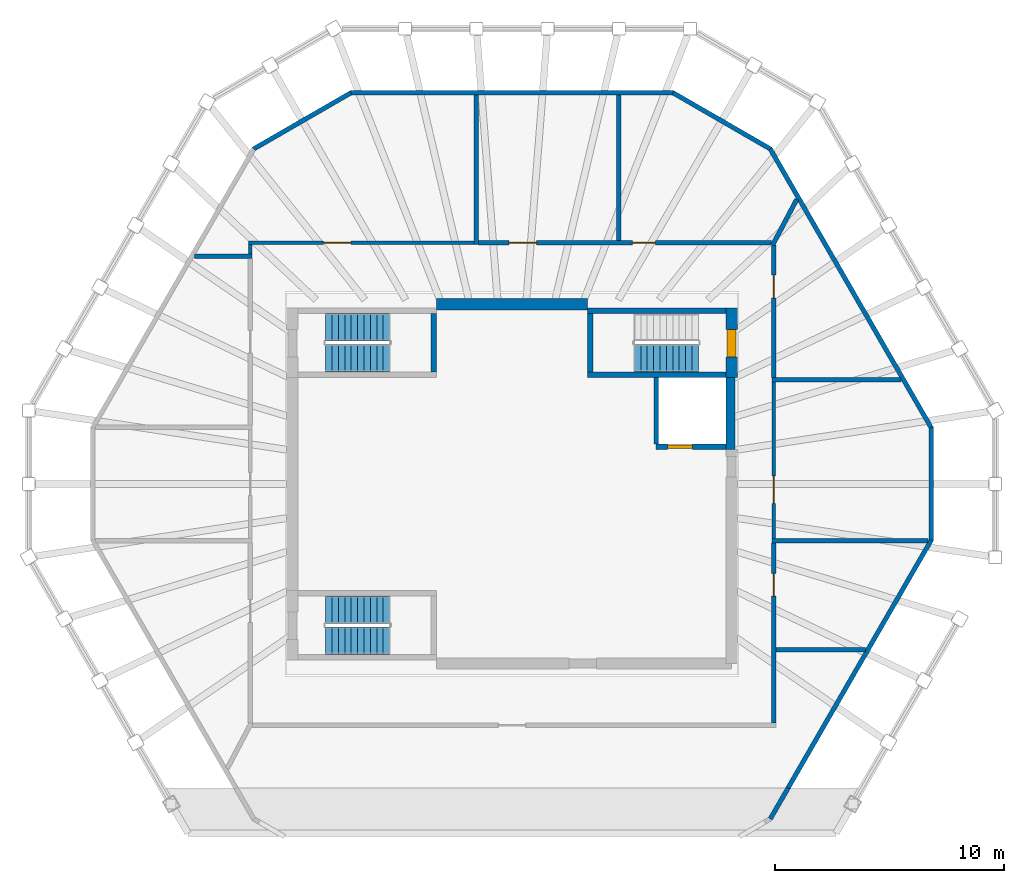
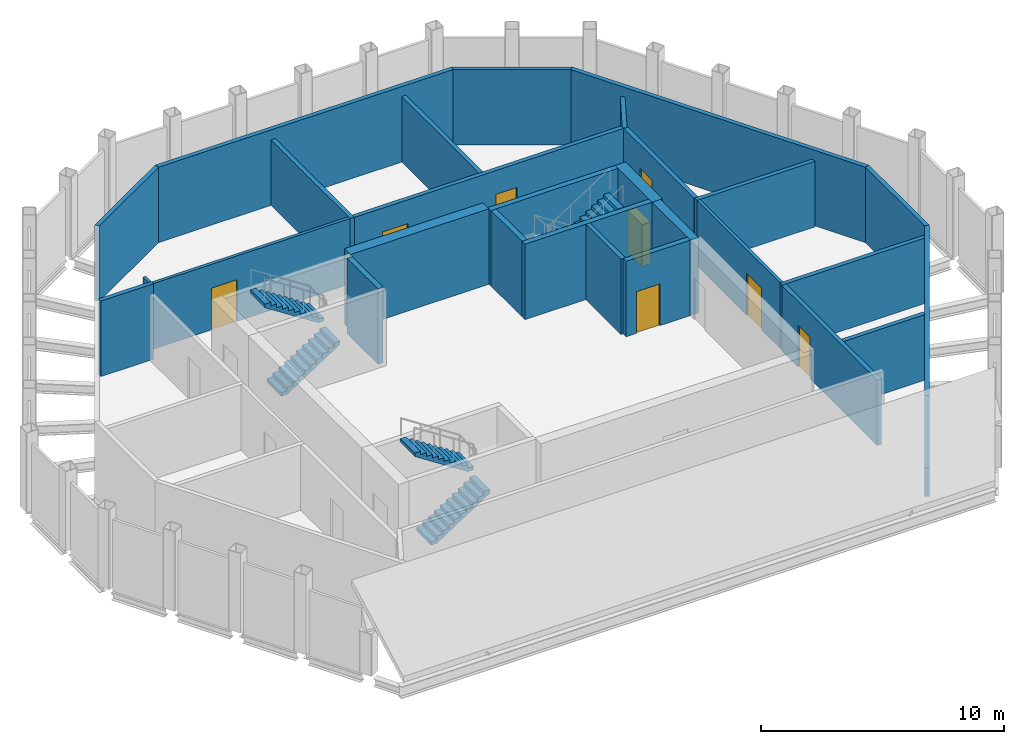
# One storey, part 3 of 5: 29 walls, 8 doors, 5 stair flights, 8 openings, 3 elements without a shape of their own.
"""IFC4 building model written with IfcOpenShell, lengths in metres."""

from ifc_helpers import new_model, si_unit, direction, frame, frame_2d, origin, place, context, subcontext, project, spatial, polyline, rectangle, outline, extrude, material, layer, layer_set, type_object, element, fill, aggregate, save


model = new_model("IFC4")

# Units and contexts
model_context = context("Model", 3, precision=1e-05, world=origin(), true_north=direction((0.0, 1.0)))
body_context = subcontext(model_context, "Body", "Model", "MODEL_VIEW")
ifc_project = project(units=[si_unit("LENGTHUNIT", "METRE"), si_unit("AREAUNIT", "SQUARE_METRE"), si_unit("VOLUMEUNIT", "CUBIC_METRE"), si_unit("PLANEANGLEUNIT", "RADIAN"), si_unit("MASSUNIT", "GRAM", prefix="KILO")], contexts=[model_context])

# Site, building, storey
site_placement = place(None, origin())
site = spatial("IfcSite", under=ifc_project, at=site_placement, CompositionType="ELEMENT")
building_placement = place(site_placement, origin())
building = spatial("IfcBuilding", under=site, at=building_placement, Name="Frailejon Research Tower", CompositionType="ELEMENT")
storey_placement = place(building_placement, frame((0.0, 0.0, 348.60009765625)))
storey = spatial("IfcBuildingStorey", under=building, at=storey_placement, Name="L78", CompositionType="ELEMENT", Elevation=348.60009765625)

# Walls
ifc_material_1 = material(Name="Concrete C50/60", Category="concrete")
ifc_layer_1 = layer(ifc_material_1, 0.39990234375)
ifc_layer_set_1 = layer_set([ifc_layer_1], Name="Core shear wall 400 C50/60")
wall_type_1 = type_object("IfcWallType", Name="Core shear wall 400 C50/60", PredefinedType="SHEAR", material=ifc_layer_set_1)
wall_1_placement = place(storey_placement, frame((9.550048828125, 1.5, 0.0), z_axis=(0.0, 0.0, 1.0), x_axis=(0.0, 1.0, 0.0)))
element("IfcWall", 1, at=wall_1_placement, inside=storey, type_object=wall_type_1, Name="Core shear wall", PredefinedType="SHEAR", context=body_context, shape_type="SweptSolid", body=[
    extrude(rectangle(XDim=3.14990234375, YDim=0.39990234375, at=frame_2d((1.574951171875, 0.0))), origin(), (0.0, 0.0, 1.0), 3.7998046875),
])
ifc_material_2 = material(Name="Concrete C50/60", Category="concrete")
ifc_layer_2 = layer(ifc_material_2, 0.5)
ifc_layer_set_2 = layer_set([ifc_layer_2], Name="Core shear wall 500 C50/60")
wall_type_2 = type_object("IfcWallType", Name="Core shear wall 500 C50/60", PredefinedType="SHEAR", material=ifc_layer_set_2)
wall_2_placement = place(storey_placement, frame((3.300048828125, 7.85009765625, 0.0), z_axis=(0.0, 0.0, 1.0), x_axis=(-1.0, 0.0, 0.0)))
element("IfcWall", 2, at=wall_2_placement, inside=storey, type_object=wall_type_2, Name="Core shear wall", PredefinedType="SHEAR", context=body_context, shape_type="SweptSolid", body=[
    extrude(rectangle(XDim=6.60009765625, YDim=0.5, at=frame_2d((3.300048828125, 0.0))), origin(), (0.0, 0.0, 1.0), 3.7998046875),
])

# Wall, opening, door
wall_3_placement = place(storey_placement, frame((9.60009765625, 4.64990234375, 0.0), z_axis=(0.0, 0.0, 1.0), x_axis=(0.0, 1.0, 0.0)))
wall_3 = element("IfcWall", 3, at=wall_3_placement, inside=storey, type_object=wall_type_2, Name="Core shear wall", PredefinedType="SHEAR", context=body_context, shape_type="SweptSolid", body=[
    extrude(rectangle(XDim=3.050048828125, YDim=0.5, at=frame_2d((1.52490234375, 0.0))), origin(), (0.0, 0.0, 1.0), 3.7998046875),
])
opening_1_placement = place(wall_3_placement, frame((0.89990234375, 0.0, 0.0)))
opening_1 = element("IfcOpeningElement", 4, at=opening_1_placement, cuts=wall_3, Name="Opening D7", PredefinedType="OPENING", context=body_context, shape_type="SweptSolid", body=[
    extrude(rectangle(XDim=1.199951171875, YDim=2.10009765625, at=frame_2d((0.60009765625, 1.050048828125))), frame((0.0, 0.260009765625, 0.0), z_axis=(0.0, -1.0, 0.0), x_axis=(1.0, 0.0, 0.0)), (0.0, 0.0, 1.0), 0.52001953125),
])
ifc_material_3 = material(Name="Steel", Category="steel")
door_type_1 = type_object("IfcDoorType", Name="Stair exit door", OperationType="SINGLE_SWING_LEFT", PredefinedType="DOOR", material=ifc_material_3)
door_1_placement = place(opening_1_placement, origin())
door_1 = element("IfcDoor", 5, at=door_1_placement, inside=storey, type_object=door_type_1, Name="Stair door ST3", OperationType="SINGLE_SWING_RIGHT", OverallHeight=2.10009765625, OverallWidth=1.199951171875, PredefinedType="DOOR", context=body_context, shape_type="SweptSolid", body=[
    extrude(rectangle(XDim=1.199951171875, YDim=2.10009765625, at=frame_2d((0.60009765625, 1.050048828125))), frame((0.0, 0.199951171875, 0.0), z_axis=(0.0, -1.0, 0.0), x_axis=(1.0, 0.0, 0.0)), (0.0, 0.0, 1.0), 0.39990234375),
])
fill(opening_1, door_1)

ifc_material_4 = material(Name="Gypsum board and masonry partition", Category="masonry")
ifc_layer_3 = layer(ifc_material_4, 0.14990234375)
ifc_layer_set_3 = layer_set([ifc_layer_3], Name="Corridor wall EI 60, gypsum on steel studs 150")
wall_type_3 = type_object("IfcWallType", Name="Corridor wall EI 60, gypsum on steel studs 150", PredefinedType="PARTITIONING", material=ifc_layer_set_3)
wall_4_placement = place(storey_placement, frame((11.449951171875, -2.382568359375, 0.0), z_axis=(0.0, 0.0, 1.0), x_axis=(0.0, 1.0, 0.0)))
wall_4 = element("IfcWall", 6, at=wall_4_placement, inside=storey, type_object=wall_type_3, Name="T:IW:L78:001", PredefinedType="PARTITIONING", context=body_context, shape_type="SweptSolid", body=[
    extrude(rectangle(XDim=6.836181640625, YDim=0.14990234375, at=frame_2d((3.41796875, 0.0))), origin(), (0.0, 0.0, 1.0), 3.2998046875),
])
opening_2_placement = place(wall_4_placement, frame((1.5341796875, 0.0, 0.0)))
opening_2 = element("IfcOpeningElement", 7, at=opening_2_placement, cuts=wall_4, Name="Opening D1172", PredefinedType="OPENING", context=body_context, shape_type="SweptSolid", body=[
    extrude(rectangle(XDim=1.199951171875, YDim=2.10009765625, at=frame_2d((0.60009765625, 1.050048828125))), frame((0.0, 0.0849609375, 0.0), z_axis=(0.0, -1.0, 0.0), x_axis=(1.0, 0.0, 0.0)), (0.0, 0.0, 1.0), 0.169921875),
])
ifc_material_5 = material(Name="Timber door leaf", Category="wood")
door_type_2 = type_object("IfcDoorType", Name="Door single leaf, timber, steel frame 1200", OperationType="NOTDEFINED", PredefinedType="DOOR", material=ifc_material_5)
door_2_placement = place(opening_2_placement, origin())
door_2 = element("IfcDoor", 8, at=door_2_placement, inside=storey, type_object=door_type_2, Name="D1172", OperationType="DOUBLE_DOOR_SINGLE_SWING", OverallHeight=2.10009765625, OverallWidth=1.199951171875, PredefinedType="DOOR", context=body_context, shape_type="SweptSolid", body=[
    extrude(rectangle(XDim=1.199951171875, YDim=2.10009765625, at=frame_2d((0.60009765625, 1.050048828125))), frame((0.0, 0.02490234375, 0.0), z_axis=(0.0, -1.0, 0.0), x_axis=(1.0, 0.0, 0.0)), (0.0, 0.0, 1.0), 0.050048828125),
])
fill(opening_2, door_2)

# Wall
wall_5_placement = place(storey_placement, frame((-11.449951171875, 10.048828125, 0.0), z_axis=(0.0, 0.0, 1.0), x_axis=(0.0, 1.0, 0.0)))
element("IfcWall", 9, at=wall_5_placement, inside=storey, type_object=wall_type_3, Name="T:IW:L78:003", PredefinedType="PARTITIONING", context=body_context, shape_type="SweptSolid", body=[
    extrude(rectangle(XDim=0.42626953125, YDim=0.14990234375, at=frame_2d((0.213134765625, 0.0))), origin(), (0.0, 0.0, 1.0), 3.7998046875),
])

# Wall, opening, door
wall_6_placement = place(storey_placement, frame((-11.52490234375, 10.550048828125, 0.0), z_axis=(0.0, 0.0, 1.0), x_axis=(1.0, 0.0, 0.0)))
wall_6 = element("IfcWall", 10, at=wall_6_placement, inside=storey, type_object=wall_type_3, Name="T:IW:L78:004", PredefinedType="PARTITIONING", context=body_context, shape_type="SweptSolid", body=[
    extrude(rectangle(XDim=9.867431640625, YDim=0.14990234375, at=frame_2d((4.93359375, 0.0))), origin(), (0.0, 0.0, 1.0), 3.2998046875),
])
opening_3_placement = place(wall_6_placement, frame((3.278564453125, 0.0, 0.0)))
opening_3 = element("IfcOpeningElement", 11, at=opening_3_placement, cuts=wall_6, Name="Opening D1176", PredefinedType="OPENING", context=body_context, shape_type="SweptSolid", body=[
    extrude(rectangle(XDim=1.199951171875, YDim=2.10009765625, at=frame_2d((0.60009765625, 1.050048828125))), frame((0.0, 0.0849609375, 0.0), z_axis=(0.0, -1.0, 0.0), x_axis=(1.0, 0.0, 0.0)), (0.0, 0.0, 1.0), 0.169921875),
])
ifc_material_6 = material(Name="Steel door leaf", Category="steel")
door_type_3 = type_object("IfcDoorType", Name="Door plant room, steel 1200", OperationType="NOTDEFINED", PredefinedType="DOOR", material=ifc_material_6)
door_3_placement = place(opening_3_placement, origin())
door_3 = element("IfcDoor", 12, at=door_3_placement, inside=storey, type_object=door_type_3, Name="D1176", OperationType="DOUBLE_DOOR_SINGLE_SWING", OverallHeight=2.10009765625, OverallWidth=1.199951171875, PredefinedType="DOOR", context=body_context, shape_type="SweptSolid", body=[
    extrude(rectangle(XDim=1.199951171875, YDim=2.10009765625, at=frame_2d((0.60009765625, 1.050048828125))), frame((0.0, 0.02490234375, 0.0), z_axis=(0.0, -1.0, 0.0), x_axis=(1.0, 0.0, 0.0)), (0.0, 0.0, 1.0), 0.050048828125),
])
fill(opening_3, door_3)

# Walls
ifc_material_7 = material(Name="Aluminium louvre cladding panel", Category="aluminium")
ifc_layer_4 = layer(ifc_material_7, 0.199951171875)
ifc_layer_set_4 = layer_set([ifc_layer_4], Name="Crown louvred wall 200")
wall_type_4 = type_object("IfcWallType", Name="Crown louvred wall 200", PredefinedType="SOLIDWALL", material=ifc_layer_set_4)
wall_7_placement = place(storey_placement, frame((18.327392578125, -2.455810546875, 0.0), z_axis=(0.0, 0.0, 1.0), x_axis=(0.0, 1.0, 0.0)))
element("IfcWall", 13, at=wall_7_placement, inside=storey, type_object=wall_type_4, Name="Crown louvred wall L78", PredefinedType="SOLIDWALL", context=body_context, shape_type="SweptSolid", body=[
    extrude(outline(polyline([(-0.02685546875, -0.10009765625), (4.9384765625, -0.10009765625), (4.884765625, 0.10009765625), (0.02685546875, 0.10009765625), (-0.02685546875, -0.10009765625)])), origin(), (0.0, 0.0, 1.0), 3.7998046875),
])
wall_8_placement = place(storey_placement, frame((18.327392578125, 2.455810546875, 0.0), z_axis=(0.0, 0.0, 1.0), x_axis=(-0.499991740577, 0.866030172312, 0.0)))
element("IfcWall", 14, at=wall_8_placement, inside=storey, type_object=wall_type_4, Name="Crown louvred wall L78", PredefinedType="SOLIDWALL", context=body_context, shape_type="SweptSolid", body=[
    extrude(outline(polyline([(-0.02685546875, -0.10009765625), (14.100830078125, -0.10009765625), (14.047119140625, 0.10009765625), (0.02685546875, 0.10009765625), (-0.02685546875, -0.10009765625)])), origin(), (0.0, 0.0, 1.0), 3.7998046875),
])
wall_9_placement = place(storey_placement, frame((11.29052734375, 14.644287109375, 0.0), z_axis=(0.0, 0.0, 1.0), x_axis=(-0.86601671623, 0.500015046984, 0.0)))
element("IfcWall", 15, at=wall_9_placement, inside=storey, type_object=wall_type_4, Name="Crown louvred wall L78", PredefinedType="SOLIDWALL", context=body_context, shape_type="SweptSolid", body=[
    extrude(outline(polyline([(-0.02685546875, -0.10009765625), (4.938232421875, -0.10009765625), (4.884521484375, 0.10009765625), (0.02685546875, 0.10009765625), (-0.02685546875, -0.10009765625)])), origin(), (0.0, 0.0, 1.0), 3.7998046875),
])
wall_10_placement = place(storey_placement, frame((7.037109375, 17.10009765625, 0.0), z_axis=(0.0, 0.0, 1.0), x_axis=(-1.0, 0.0, 0.0)))
element("IfcWall", 16, at=wall_10_placement, inside=storey, type_object=wall_type_4, Name="Crown louvred wall L78", PredefinedType="SOLIDWALL", context=body_context, shape_type="SweptSolid", body=[
    extrude(outline(polyline([(-0.02685546875, -0.10009765625), (14.10107421875, -0.10009765625), (14.04736328125, 0.10009765625), (0.02685546875, 0.10009765625), (-0.02685546875, -0.10009765625)])), origin(), (0.0, 0.0, 1.0), 3.7998046875),
])
wall_11_placement = place(storey_placement, frame((-7.037109375, 17.10009765625, 0.0), z_axis=(0.0, 0.0, 1.0), x_axis=(-0.86601671623, -0.500015046984, 0.0)))
element("IfcWall", 17, at=wall_11_placement, inside=storey, type_object=wall_type_4, Name="Crown louvred wall L78", PredefinedType="SOLIDWALL", context=body_context, shape_type="SweptSolid", body=[
    extrude(outline(polyline([(-0.02685546875, -0.10009765625), (4.938232421875, -0.10009765625), (4.884521484375, 0.10009765625), (0.02685546875, 0.10009765625), (-0.02685546875, -0.10009765625)])), origin(), (0.0, 0.0, 1.0), 3.7998046875),
])
wall_12_placement = place(storey_placement, frame((11.29052734375, -14.644287109375, 0.0), z_axis=(0.0, 0.0, 1.0), x_axis=(0.499957096737, 0.866050172578, 0.0)))
element("IfcWall", 18, at=wall_12_placement, inside=storey, type_object=wall_type_4, Name="Crown louvred wall L78", PredefinedType="SOLIDWALL", context=body_context, shape_type="SweptSolid", body=[
    extrude(outline(polyline([(0.0, 0.0), (1.561279296875, 0.0), (1.56103515625, 4.0), (0.0, 1.457275390625), (0.0, 0.0)])), frame((0.0, 0.10009765625, 0.0), z_axis=(0.0, -1.0, 0.0), x_axis=(1.0, 0.0, 0.0)), (0.0, 0.0, 1.0), 0.199951171875),
])
wall_13_placement = place(storey_placement, frame((12.071044921875, -13.292236328125, 0.0), z_axis=(0.0, 0.0, 1.0), x_axis=(0.499996062888, 0.866027676865, 0.0)))
element("IfcWall", 19, at=wall_13_placement, inside=storey, type_object=wall_type_4, Name="Crown louvred wall L78", PredefinedType="SOLIDWALL", context=body_context, shape_type="SweptSolid", body=[
    extrude(outline(polyline([(0.0, -0.10009765625), (12.53955078125, -0.10009765625), (12.48583984375, 0.10009765625), (0.0, 0.10009765625), (0.0, -0.10009765625)])), origin(), (0.0, 0.0, 1.0), 3.7998046875),
])

# Wall, opening, door
ifc_material_8 = material(Name="Gypsum board and masonry partition", Category="masonry")
ifc_layer_5 = layer(ifc_material_8, 0.199951171875)
ifc_layer_set_5 = layer_set([ifc_layer_5], Name="Plant enclosure wall, blockwork 200")
wall_type_5 = type_object("IfcWallType", Name="Plant enclosure wall, blockwork 200", PredefinedType="PARTITIONING", material=ifc_layer_set_5)
wall_14_placement = place(storey_placement, frame((11.449951171875, -10.449951171875, 0.0), z_axis=(0.0, 0.0, 1.0), x_axis=(0.0, 1.0, 0.0)))
wall_14 = element("IfcWall", 20, at=wall_14_placement, inside=storey, type_object=wall_type_5, Name="T:IW:L78:005", PredefinedType="PARTITIONING", context=body_context, shape_type="SweptSolid", body=[
    extrude(rectangle(XDim=7.867431640625, YDim=0.199951171875, at=frame_2d((3.93359375, 0.0))), origin(), (0.0, 0.0, 1.0), 3.2998046875),
])
opening_4_placement = place(wall_14_placement, frame((5.54345703125, 0.0, 0.0)))
opening_4 = element("IfcOpeningElement", 21, at=opening_4_placement, cuts=wall_14, Name="Opening D1181", PredefinedType="OPENING", context=body_context, shape_type="SweptSolid", body=[
    extrude(rectangle(XDim=1.0, YDim=2.10009765625, at=frame_2d((0.5, 1.050048828125))), frame((0.0, 0.10986328125, 0.0), z_axis=(0.0, -1.0, 0.0), x_axis=(1.0, 0.0, 0.0)), (0.0, 0.0, 1.0), 0.219970703125),
])
ifc_material_9 = material(Name="Steel door leaf", Category="steel")
door_type_4 = type_object("IfcDoorType", Name="Door plant room, steel 1000", OperationType="NOTDEFINED", PredefinedType="DOOR", material=ifc_material_9)
door_4_placement = place(opening_4_placement, origin())
door_4 = element("IfcDoor", 22, at=door_4_placement, inside=storey, type_object=door_type_4, Name="D1181", OperationType="SINGLE_SWING_LEFT", OverallHeight=2.10009765625, OverallWidth=1.0, PredefinedType="DOOR", context=body_context, shape_type="SweptSolid", body=[
    extrude(rectangle(XDim=1.0, YDim=2.10009765625, at=frame_2d((0.5, 1.050048828125))), frame((0.0, 0.02490234375, 0.0), z_axis=(0.0, -1.0, 0.0), x_axis=(1.0, 0.0, 0.0)), (0.0, 0.0, 1.0), 0.050048828125),
])
fill(opening_4, door_4)

wall_15_placement = place(storey_placement, frame((11.449951171875, 4.653564453125, 0.0), z_axis=(0.0, 0.0, 1.0), x_axis=(0.0, 1.0, 0.0)))
wall_15 = element("IfcWall", 23, at=wall_15_placement, inside=storey, type_object=wall_type_5, Name="T:IW:L78:006", PredefinedType="PARTITIONING", context=body_context, shape_type="SweptSolid", body=[
    extrude(rectangle(XDim=5.79638671875, YDim=0.199951171875, at=frame_2d((2.898193359375, 0.0))), origin(), (0.0, 0.0, 1.0), 3.2998046875),
])
opening_5_placement = place(wall_15_placement, frame((3.472412109375, 0.0, 0.0)))
opening_5 = element("IfcOpeningElement", 24, at=opening_5_placement, cuts=wall_15, Name="Opening D1173", PredefinedType="OPENING", context=body_context, shape_type="SweptSolid", body=[
    extrude(rectangle(XDim=1.0, YDim=2.10009765625, at=frame_2d((0.5, 1.050048828125))), frame((0.0, 0.10986328125, 0.0), z_axis=(0.0, -1.0, 0.0), x_axis=(1.0, 0.0, 0.0)), (0.0, 0.0, 1.0), 0.219970703125),
])
door_5_placement = place(opening_5_placement, origin())
door_5 = element("IfcDoor", 25, at=door_5_placement, inside=storey, type_object=door_type_4, Name="D1173", OperationType="SINGLE_SWING_LEFT", OverallHeight=2.10009765625, OverallWidth=1.0, PredefinedType="DOOR", context=body_context, shape_type="SweptSolid", body=[
    extrude(rectangle(XDim=1.0, YDim=2.10009765625, at=frame_2d((0.5, 1.050048828125))), frame((0.0, 0.02490234375, 0.0), z_axis=(0.0, -1.0, 0.0), x_axis=(1.0, 0.0, 0.0)), (0.0, 0.0, 1.0), 0.050048828125),
])
fill(opening_5, door_5)

# Wall, openings, doors
wall_16_placement = place(storey_placement, frame((-1.45751953125, 10.550048828125, 0.0), z_axis=(0.0, 0.0, 1.0), x_axis=(1.0, 0.0, 0.0)))
wall_16 = element("IfcWall", 26, at=wall_16_placement, inside=storey, type_object=wall_type_5, Name="T:IW:L78:007", PredefinedType="PARTITIONING", context=body_context, shape_type="SweptSolid", body=[
    extrude(rectangle(XDim=12.8076171875, YDim=0.199951171875, at=frame_2d((6.40380859375, 0.0))), origin(), (0.0, 0.0, 1.0), 3.2998046875),
])
opening_6_placement = place(wall_16_placement, frame((6.7216796875, 0.0, 0.0)))
opening_6 = element("IfcOpeningElement", 27, at=opening_6_placement, cuts=wall_16, Name="Opening D1174", PredefinedType="OPENING", context=body_context, shape_type="SweptSolid", body=[
    extrude(rectangle(XDim=1.0, YDim=2.10009765625, at=frame_2d((0.5, 1.050048828125))), frame((0.0, 0.10986328125, 0.0), z_axis=(0.0, -1.0, 0.0), x_axis=(1.0, 0.0, 0.0)), (0.0, 0.0, 1.0), 0.219970703125),
])
opening_7_placement = place(wall_16_placement, frame((1.33251953125, 0.0, 0.0)))
opening_7 = element("IfcOpeningElement", 28, at=opening_7_placement, cuts=wall_16, Name="Opening D1175", PredefinedType="OPENING", context=body_context, shape_type="SweptSolid", body=[
    extrude(rectangle(XDim=1.199951171875, YDim=2.10009765625, at=frame_2d((0.60009765625, 1.050048828125))), frame((0.0, 0.10986328125, 0.0), z_axis=(0.0, -1.0, 0.0), x_axis=(1.0, 0.0, 0.0)), (0.0, 0.0, 1.0), 0.219970703125),
])
door_6_placement = place(opening_6_placement, origin())
door_6 = element("IfcDoor", 29, at=door_6_placement, inside=storey, type_object=door_type_4, Name="D1174", OperationType="SINGLE_SWING_RIGHT", OverallHeight=2.10009765625, OverallWidth=1.0, PredefinedType="DOOR", context=body_context, shape_type="SweptSolid", body=[
    extrude(rectangle(XDim=1.0, YDim=2.10009765625, at=frame_2d((0.5, 1.050048828125))), frame((0.0, 0.02490234375, 0.0), z_axis=(0.0, -1.0, 0.0), x_axis=(1.0, 0.0, 0.0)), (0.0, 0.0, 1.0), 0.050048828125),
])
fill(opening_6, door_6)
door_7_placement = place(opening_7_placement, origin())
door_7 = element("IfcDoor", 30, at=door_7_placement, inside=storey, type_object=door_type_3, Name="D1175", OperationType="DOUBLE_DOOR_SINGLE_SWING", OverallHeight=2.10009765625, OverallWidth=1.199951171875, PredefinedType="DOOR", context=body_context, shape_type="SweptSolid", body=[
    extrude(rectangle(XDim=1.199951171875, YDim=2.10009765625, at=frame_2d((0.60009765625, 1.050048828125))), frame((0.0, 0.02490234375, 0.0), z_axis=(0.0, -1.0, 0.0), x_axis=(1.0, 0.0, 0.0)), (0.0, 0.0, 1.0), 0.050048828125),
])
fill(opening_7, door_7)

# Walls
wall_17_placement = place(storey_placement, frame((11.375, 4.5537109375, 0.0), z_axis=(0.0, 0.0, 1.0), x_axis=(1.0, 0.0, 0.0)))
element("IfcWall", 31, at=wall_17_placement, inside=storey, type_object=wall_type_5, Name="T:IW:L78:011", PredefinedType="PARTITIONING", context=body_context, shape_type="SweptSolid", body=[
    extrude(rectangle(XDim=5.6259765625, YDim=0.199951171875, at=frame_2d((2.81298828125, 0.0))), origin(), (0.0, 0.0, 1.0), 3.2998046875),
])
wall_18_placement = place(storey_placement, frame((11.375, -2.482666015625, 0.0), z_axis=(0.0, 0.0, 1.0), x_axis=(1.0, 0.0, 0.0)))
element("IfcWall", 32, at=wall_18_placement, inside=storey, type_object=wall_type_5, Name="T:IW:L78:013", PredefinedType="PARTITIONING", context=body_context, shape_type="SweptSolid", body=[
    extrude(rectangle(XDim=6.821533203125, YDim=0.199951171875, at=frame_2d((3.41064453125, 0.0))), origin(), (0.0, 0.0, 1.0), 3.2998046875),
])
wall_19_placement = place(storey_placement, frame((11.4033203125, 10.461669921875, 0.0), z_axis=(0.0, 0.0, 1.0), x_axis=(0.467712102585, 0.883880868158, 0.0)))
element("IfcWall", 33, at=wall_19_placement, inside=storey, type_object=wall_type_5, Name="T:IW:L78:014", PredefinedType="PARTITIONING", context=body_context, shape_type="SweptSolid", body=[
    extrude(rectangle(XDim=2.235595703125, YDim=0.199951171875, at=frame_2d((1.11767578125, 0.0))), origin(), (0.0, 0.0, 1.0), 3.2998046875),
])
wall_20_placement = place(storey_placement, frame((4.67236328125, 10.64990234375, 0.0), z_axis=(0.0, 0.0, 1.0), x_axis=(0.0, 1.0, 0.0)))
element("IfcWall", 34, at=wall_20_placement, inside=storey, type_object=wall_type_5, Name="T:IW:L78:015", PredefinedType="PARTITIONING", context=body_context, shape_type="SweptSolid", body=[
    extrude(rectangle(XDim=6.35009765625, YDim=0.199951171875, at=frame_2d((3.175048828125, 0.0))), origin(), (0.0, 0.0, 1.0), 3.2998046875),
])
wall_21_placement = place(storey_placement, frame((-1.557373046875, 10.47509765625, 0.0), z_axis=(0.0, 0.0, 1.0), x_axis=(0.0, 1.0, 0.0)))
element("IfcWall", 35, at=wall_21_placement, inside=storey, type_object=wall_type_5, Name="T:IW:L78:016", PredefinedType="PARTITIONING", context=body_context, shape_type="SweptSolid", body=[
    extrude(rectangle(XDim=6.52490234375, YDim=0.199951171875, at=frame_2d((3.262451171875, 0.0))), origin(), (0.0, 0.0, 1.0), 3.2998046875),
])
wall_22_placement = place(storey_placement, frame((-13.885986328125, 9.94873046875, 0.0), z_axis=(0.0, 0.0, 1.0), x_axis=(1.0, 0.0, 0.0)))
element("IfcWall", 36, at=wall_22_placement, inside=storey, type_object=wall_type_5, Name="T:IW:L78:017", PredefinedType="PARTITIONING", context=body_context, shape_type="SweptSolid", body=[
    extrude(rectangle(XDim=2.510986328125, YDim=0.199951171875, at=frame_2d((1.25537109375, 0.0))), origin(), (0.0, 0.0, 1.0), 3.7998046875),
])
wall_23_placement = place(storey_placement, frame((11.550048828125, -7.251220703125, 0.0), z_axis=(0.0, 0.0, 1.0), x_axis=(1.0, 0.0, 0.0)))
element("IfcWall", 37, at=wall_23_placement, inside=storey, type_object=wall_type_5, Name="T:IW:L78:020", PredefinedType="PARTITIONING", context=body_context, shape_type="SweptSolid", body=[
    extrude(rectangle(XDim=3.893310546875, YDim=0.199951171875, at=frame_2d((1.94677734375, 0.0))), origin(), (0.0, 0.0, 1.0), 3.2998046875),
])
ifc_material_10 = material(Name="Concrete C50/60", Category="concrete")
ifc_layer_6 = layer(ifc_material_10, 0.199951171875)
ifc_layer_set_6 = layer_set([ifc_layer_6], Name="Shaft wall 200 C50/60")
wall_type_6 = type_object("IfcWallType", Name="Shaft wall 200 C50/60", PredefinedType="SOLIDWALL", material=ifc_layer_set_6)
wall_24_placement = place(storey_placement, frame((6.300048828125, 1.75, 0.0), z_axis=(0.0, 0.0, 1.0), x_axis=(0.0, 1.0, 0.0)))
element("IfcWall", 38, at=wall_24_placement, inside=storey, type_object=wall_type_6, Name="Shaft wall", PredefinedType="SOLIDWALL", context=body_context, shape_type="SweptSolid", body=[
    extrude(rectangle(XDim=2.89990234375, YDim=0.199951171875, at=frame_2d((1.449951171875, 0.0))), origin(), (0.0, 0.0, 1.0), 3.7998046875),
])
ifc_material_11 = material(Name="Concrete C50/60", Category="concrete")
ifc_layer_7 = layer(ifc_material_11, 0.25)
ifc_layer_set_7 = layer_set([ifc_layer_7], Name="Shaft wall 250 C50/60")
wall_type_7 = type_object("IfcWallType", Name="Shaft wall 250 C50/60", PredefinedType="SOLIDWALL", material=ifc_layer_set_7)
for number, where, z_axis, x_axis, name in (
    (39, (-3.425048828125, 4.89990234375, 0.0), (0.0, 0.0, 1.0), (0.0, 1.0, 0.0), "Shaft wall"),
    (40, (3.425048828125, 4.89990234375, 0.0), (0.0, 0.0, 1.0), (0.0, 1.0, 0.0), "Shaft wall"),
):
    element("IfcWall", number, at=place(storey_placement, frame(where, z_axis=z_axis, x_axis=x_axis)), inside=storey, type_object=wall_type_7, Name=name, PredefinedType="SOLIDWALL", context=body_context, shape_type="SweptSolid", body=[
        extrude(rectangle(XDim=2.550048828125, YDim=0.25, at=frame_2d((1.27490234375, 0.0))), origin(), (0.0, 0.0, 1.0), 3.7998046875),
    ])
for number, where, z_axis, x_axis, name in (
    (41, (3.300048828125, 4.77490234375, 0.0), (0.0, 0.0, 1.0), (1.0, 0.0, 0.0), "Shaft wall"),
    (42, (3.300048828125, 7.574951171875, 0.0), (0.0, 0.0, 1.0), (1.0, 0.0, 0.0), "Shaft wall"),
):
    element("IfcWall", number, at=place(storey_placement, frame(where, z_axis=z_axis, x_axis=x_axis)), inside=storey, type_object=wall_type_7, Name=name, PredefinedType="SOLIDWALL", context=body_context, shape_type="SweptSolid", body=[
        extrude(rectangle(XDim=6.050048828125, YDim=0.25, at=frame_2d((3.02490234375, 0.0))), origin(), (0.0, 0.0, 1.0), 3.7998046875),
    ])

# Wall, opening, door
wall_25_placement = place(storey_placement, frame((6.300048828125, 1.625, 0.0), z_axis=(0.0, 0.0, 1.0), x_axis=(1.0, 0.0, 0.0)))
wall_25 = element("IfcWall", 43, at=wall_25_placement, inside=storey, type_object=wall_type_7, Name="Shaft wall", PredefinedType="SOLIDWALL", context=body_context, shape_type="SweptSolid", body=[
    extrude(rectangle(XDim=3.050048828125, YDim=0.25, at=frame_2d((1.52490234375, 0.0))), origin(), (0.0, 0.0, 1.0), 3.7998046875),
])
opening_8_placement = place(wall_25_placement, frame((0.5, 0.0, 0.0)))
opening_8 = element("IfcOpeningElement", 44, at=opening_8_placement, cuts=wall_25, Name="Opening LD", PredefinedType="OPENING", context=body_context, shape_type="SweptSolid", body=[
    extrude(rectangle(XDim=1.10009765625, YDim=2.10009765625, at=frame_2d((0.550048828125, 1.050048828125))), frame((0.0, 0.135009765625, 0.0), z_axis=(0.0, -1.0, 0.0), x_axis=(1.0, 0.0, 0.0)), (0.0, 0.0, 1.0), 0.27001953125),
])
ifc_material_12 = material(Name="Steel", Category="steel")
door_type_5 = type_object("IfcDoorType", Name="Lift landing door", OperationType="DOUBLE_DOOR_SLIDING", PredefinedType="DOOR", material=ifc_material_12)
door_8_placement = place(opening_8_placement, origin())
door_8 = element("IfcDoor", 45, at=door_8_placement, inside=storey, type_object=door_type_5, Name="Lift landing door", OperationType="DOUBLE_DOOR_SLIDING", OverallHeight=2.10009765625, OverallWidth=1.10009765625, PredefinedType="DOOR", context=body_context, shape_type="SweptSolid", body=[
    extrude(rectangle(XDim=1.10009765625, YDim=2.10009765625, at=frame_2d((0.550048828125, 1.050048828125))), frame((0.0, 0.074951171875, 0.0), z_axis=(0.0, -1.0, 0.0), x_axis=(1.0, 0.0, 0.0)), (0.0, 0.0, 1.0), 0.14990234375),
])
fill(opening_8, door_8)

# Stair, stair flights
ifc_material_13 = material(Name="Concrete C50/60", Category="concrete")
stair_type = type_object("IfcStairType", Name="Exit stair 22 risers", PredefinedType="HALF_TURN_STAIR", material=ifc_material_13)
stair_1_placement = place(storey_placement, origin())
stair_1 = element("IfcStair", 46, at=stair_1_placement, inside=storey, type_object=stair_type, Name="L78 Exit stair ST1", PredefinedType="HALF_TURN_STAIR")
ifc_material_14 = material(Name="Concrete C50/60", Category="concrete")
ifc_layer_8 = layer(ifc_material_14, 0.14990234375)
ifc_layer_set_8 = layer_set([ifc_layer_8], Name="Stair flight 11 risers")
stair_flight_type = type_object("IfcStairFlightType", Name="Stair flight 11 risers", PredefinedType="STRAIGHT", material=ifc_layer_set_8)
stair_flight_1_placement = place(storey_placement, frame((-8.14990234375, 5.5, 0.0), z_axis=(0.0, 0.0, 1.0), x_axis=(1.0, 0.0, 0.0)))
stair_flight_1 = element("IfcStairFlight", 47, at=stair_flight_1_placement, type_object=stair_flight_type, Name="ST1 flight 1", NumberOfRisers=11, NumberOfTreads=10, PredefinedType="STRAIGHT", RiserHeight=0.181818182, TreadLength=0.28, context=body_context, shape_type="SweptSolid", body=[
    extrude(outline(polyline([(0.0, 0.0), (0.0, 0.181884765625), (0.280029296875, 0.181884765625), (0.280029296875, 0.363525390625), (0.56005859375, 0.363525390625), (0.56005859375, 0.54541015625), (0.840087890625, 0.54541015625), (0.840087890625, 0.727294921875), (1.1201171875, 0.727294921875), (1.1201171875, 0.9091796875), (1.39990234375, 0.9091796875), (1.39990234375, 1.0908203125), (1.679931640625, 1.0908203125), (1.679931640625, 1.272705078125), (1.9599609375, 1.272705078125), (1.9599609375, 1.45458984375), (2.239990234375, 1.45458984375), (2.239990234375, 1.636474609375), (2.52001953125, 1.636474609375), (2.52001953125, 1.818115234375), (2.800048828125, 1.818115234375), (2.800048828125, 2.0), (2.800048828125, 1.639404296875), (0.275146484375, 0.0), (0.0, 0.0)])), frame((0.0, 0.60009765625, 0.0), z_axis=(0.0, -1.0, 0.0), x_axis=(1.0, 0.0, 0.0)), (0.0, 0.0, 1.0), 1.199951171875),
])
stair_flight_2_placement = place(storey_placement, frame((-5.35009765625, 6.85009765625, 2.0), z_axis=(0.0, 0.0, 1.0), x_axis=(-1.0, 0.0, 0.0)))
stair_flight_2 = element("IfcStairFlight", 48, at=stair_flight_2_placement, type_object=stair_flight_type, Name="ST1 flight 2", NumberOfRisers=11, NumberOfTreads=10, PredefinedType="STRAIGHT", RiserHeight=0.181818182, TreadLength=0.28, context=body_context, shape_type="SweptSolid", body=[
    extrude(outline(polyline([(0.0, 0.0), (0.0, 0.181884765625), (0.280029296875, 0.181884765625), (0.280029296875, 0.363525390625), (0.56005859375, 0.363525390625), (0.56005859375, 0.54541015625), (0.840087890625, 0.54541015625), (0.840087890625, 0.727294921875), (1.1201171875, 0.727294921875), (1.1201171875, 0.9091796875), (1.39990234375, 0.9091796875), (1.39990234375, 1.0908203125), (1.679931640625, 1.0908203125), (1.679931640625, 1.272705078125), (1.9599609375, 1.272705078125), (1.9599609375, 1.45458984375), (2.239990234375, 1.45458984375), (2.239990234375, 1.636474609375), (2.52001953125, 1.636474609375), (2.52001953125, 1.818115234375), (2.800048828125, 1.818115234375), (2.800048828125, 2.0), (2.800048828125, 1.639404296875), (0.275146484375, 0.0), (0.0, 0.0)])), frame((0.0, 0.60009765625, 0.0), z_axis=(0.0, -1.0, 0.0), x_axis=(1.0, 0.0, 0.0)), (0.0, 0.0, 1.0), 1.199951171875),
])
aggregate(stair_1, [stair_flight_1, stair_flight_2])

stair_2_placement = place(storey_placement, origin())
stair_2 = element("IfcStair", 49, at=stair_2_placement, inside=storey, type_object=stair_type, Name="L78 Exit stair ST2", PredefinedType="HALF_TURN_STAIR")
stair_flight_3_placement = place(storey_placement, frame((-8.14990234375, -6.85009765625, 0.0), z_axis=(0.0, 0.0, 1.0), x_axis=(1.0, 0.0, 0.0)))
stair_flight_3 = element("IfcStairFlight", 50, at=stair_flight_3_placement, type_object=stair_flight_type, Name="ST2 flight 1", NumberOfRisers=11, NumberOfTreads=10, PredefinedType="STRAIGHT", RiserHeight=0.181818182, TreadLength=0.28, context=body_context, shape_type="SweptSolid", body=[
    extrude(outline(polyline([(0.0, 0.0), (0.0, 0.181884765625), (0.280029296875, 0.181884765625), (0.280029296875, 0.363525390625), (0.56005859375, 0.363525390625), (0.56005859375, 0.54541015625), (0.840087890625, 0.54541015625), (0.840087890625, 0.727294921875), (1.1201171875, 0.727294921875), (1.1201171875, 0.9091796875), (1.39990234375, 0.9091796875), (1.39990234375, 1.0908203125), (1.679931640625, 1.0908203125), (1.679931640625, 1.272705078125), (1.9599609375, 1.272705078125), (1.9599609375, 1.45458984375), (2.239990234375, 1.45458984375), (2.239990234375, 1.636474609375), (2.52001953125, 1.636474609375), (2.52001953125, 1.818115234375), (2.800048828125, 1.818115234375), (2.800048828125, 2.0), (2.800048828125, 1.639404296875), (0.275146484375, 0.0), (0.0, 0.0)])), frame((0.0, 0.60009765625, 0.0), z_axis=(0.0, -1.0, 0.0), x_axis=(1.0, 0.0, 0.0)), (0.0, 0.0, 1.0), 1.199951171875),
])
stair_flight_4_placement = place(storey_placement, frame((-5.35009765625, -5.5, 2.0), z_axis=(0.0, 0.0, 1.0), x_axis=(-1.0, 0.0, 0.0)))
stair_flight_4 = element("IfcStairFlight", 51, at=stair_flight_4_placement, type_object=stair_flight_type, Name="ST2 flight 2", NumberOfRisers=11, NumberOfTreads=10, PredefinedType="STRAIGHT", RiserHeight=0.181818182, TreadLength=0.28, context=body_context, shape_type="SweptSolid", body=[
    extrude(outline(polyline([(0.0, 0.0), (0.0, 0.181884765625), (0.280029296875, 0.181884765625), (0.280029296875, 0.363525390625), (0.56005859375, 0.363525390625), (0.56005859375, 0.54541015625), (0.840087890625, 0.54541015625), (0.840087890625, 0.727294921875), (1.1201171875, 0.727294921875), (1.1201171875, 0.9091796875), (1.39990234375, 0.9091796875), (1.39990234375, 1.0908203125), (1.679931640625, 1.0908203125), (1.679931640625, 1.272705078125), (1.9599609375, 1.272705078125), (1.9599609375, 1.45458984375), (2.239990234375, 1.45458984375), (2.239990234375, 1.636474609375), (2.52001953125, 1.636474609375), (2.52001953125, 1.818115234375), (2.800048828125, 1.818115234375), (2.800048828125, 2.0), (2.800048828125, 1.639404296875), (0.275146484375, 0.0), (0.0, 0.0)])), frame((0.0, 0.60009765625, 0.0), z_axis=(0.0, -1.0, 0.0), x_axis=(1.0, 0.0, 0.0)), (0.0, 0.0, 1.0), 1.199951171875),
])
aggregate(stair_2, [stair_flight_3, stair_flight_4])

# Stair, stair flight
stair_3_placement = place(storey_placement, origin())
stair_3 = element("IfcStair", 52, at=stair_3_placement, inside=storey, type_object=stair_type, Name="L78 Exit stair ST3", PredefinedType="HALF_TURN_STAIR")
stair_flight_5_placement = place(storey_placement, frame((5.35009765625, 5.5, 2.0), z_axis=(0.0, 0.0, 1.0), x_axis=(1.0, 0.0, 0.0)))
stair_flight_5 = element("IfcStairFlight", 53, at=stair_flight_5_placement, type_object=stair_flight_type, Name="ST3 flight 2", NumberOfRisers=11, NumberOfTreads=10, PredefinedType="STRAIGHT", RiserHeight=0.181818182, TreadLength=0.28, context=body_context, shape_type="SweptSolid", body=[
    extrude(outline(polyline([(0.0, 0.0), (0.0, 0.181884765625), (0.280029296875, 0.181884765625), (0.280029296875, 0.363525390625), (0.56005859375, 0.363525390625), (0.56005859375, 0.54541015625), (0.840087890625, 0.54541015625), (0.840087890625, 0.727294921875), (1.1201171875, 0.727294921875), (1.1201171875, 0.9091796875), (1.39990234375, 0.9091796875), (1.39990234375, 1.0908203125), (1.679931640625, 1.0908203125), (1.679931640625, 1.272705078125), (1.9599609375, 1.272705078125), (1.9599609375, 1.45458984375), (2.239990234375, 1.45458984375), (2.239990234375, 1.636474609375), (2.52001953125, 1.636474609375), (2.52001953125, 1.818115234375), (2.800048828125, 1.818115234375), (2.800048828125, 2.0), (2.800048828125, 1.639404296875), (0.275146484375, 0.0), (0.0, 0.0)])), frame((0.0, 0.60009765625, 0.0), z_axis=(0.0, -1.0, 0.0), x_axis=(1.0, 0.0, 0.0)), (0.0, 0.0, 1.0), 1.199951171875),
])
aggregate(stair_3, [stair_flight_5])

save(model, "model.ifc")
